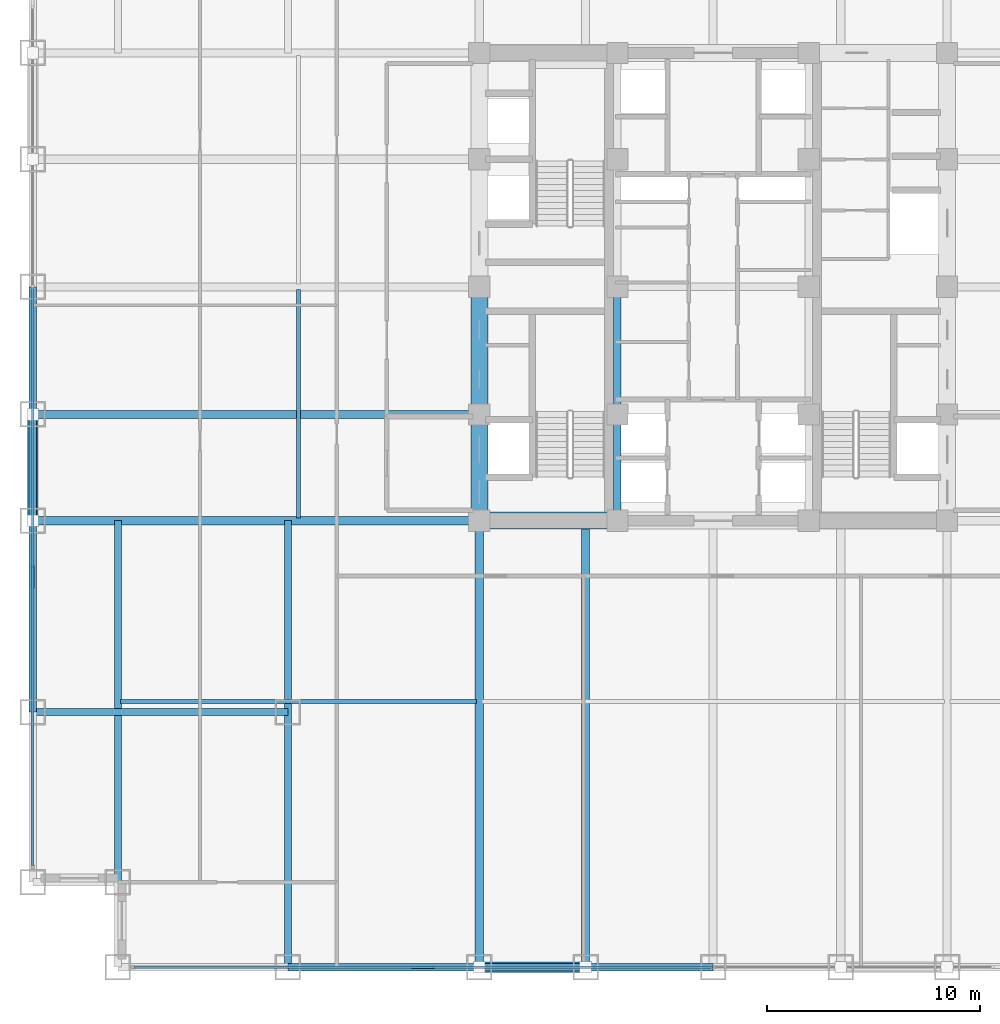
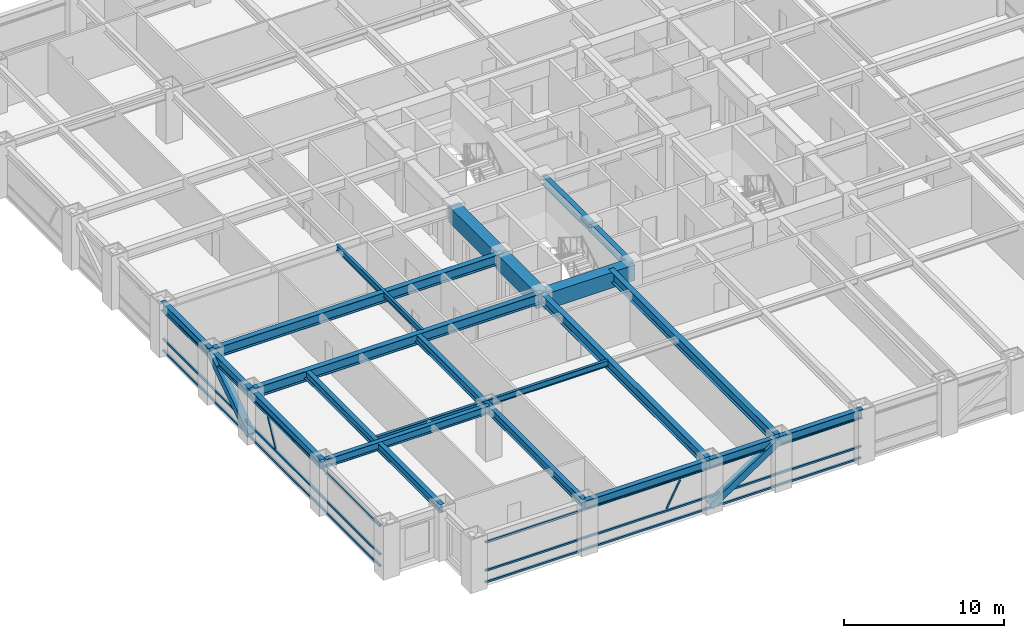
# One storey, part 3 of 27: 20 beams, 10 members, 2 elements without a shape of their own.
"""IFC4 building model written with IfcOpenShell, lengths in metres."""

from ifc_helpers import new_model, si_unit, direction, frame, origin, origin_2d, place, context, subcontext, project, spatial, rectangle, hollow_rectangle, i_section, extrude, source, transform, mapped, material, material_profile, profile_set, type_object, element, aggregate, save


model = new_model("IFC4")

# Units and contexts
model_context = context("Model", 3, precision=1e-05, world=origin(), true_north=direction((0.0, 1.0)))
body_context = subcontext(model_context, "Body", "Model", "MODEL_VIEW")
ifc_project = project(units=[si_unit("LENGTHUNIT", "METRE"), si_unit("AREAUNIT", "SQUARE_METRE"), si_unit("VOLUMEUNIT", "CUBIC_METRE"), si_unit("PLANEANGLEUNIT", "RADIAN"), si_unit("MASSUNIT", "GRAM", prefix="KILO")], contexts=[model_context])

# Site, building, storey
site_placement = place(None, origin())
site = spatial("IfcSite", under=ifc_project, at=site_placement, CompositionType="ELEMENT")
building_placement = place(site_placement, origin())
building = spatial("IfcBuilding", under=site, at=building_placement, Name="Khorayat Bourse Tower", CompositionType="ELEMENT")
storey_placement = place(building_placement, frame((0.0, 0.0, 111.89990234375)))
storey = spatial("IfcBuildingStorey", under=building, at=storey_placement, Name="L25", CompositionType="ELEMENT", Elevation=111.89990234375)

# Beams
ifc_material_1 = material(Name="Concrete C72/90", Category="concrete")
ifc_material_profile_1 = material_profile(ifc_material_1, rectangle(XDim=0.800048828125, YDim=1.199951171875, at=origin_2d()), Name="RC 800x1200")
ifc_profile_set_1 = profile_set([ifc_material_profile_1], Name="Concrete C72/90")
beam_type_1 = type_object("IfcBeamType", Name="BM-COUP-1200", PredefinedType="BEAM", material=ifc_profile_set_1)
shared_shape_1 = source(origin(), body_context, "Body", "SweptSolid", [
    extrude(rectangle(XDim=0.800048828125, YDim=1.199951171875, at=origin_2d()), origin(), (0.0, 0.0, 1.0), 5.0),
])
beam_1_placement = place(storey_placement, frame((-11.0, -11.0, 3.239990234375), z_axis=(0.0, 1.0, 0.0), x_axis=(-1.0, 0.0, 0.0)))
element("IfcBeam", 1, at=beam_1_placement, inside=storey, type_object=beam_type_1, Name="L25 BM-COUP-1200 BM-L25-CRX-01", PredefinedType="BEAM", context=body_context, shape_type="MappedRepresentation", body=[
    mapped(shared_shape_1, transform((0.0, 0.0, 0.0), scale=1.0)),
])
shared_shape_2 = source(origin(), body_context, "Body", "SweptSolid", [
    extrude(rectangle(XDim=0.800048828125, YDim=1.199951171875, at=origin_2d()), origin(), (0.0, 0.0, 1.0), 6.0),
])
beam_2_placement = place(storey_placement, frame((-11.0, -6.0, 3.239990234375), z_axis=(0.0, 1.0, 0.0), x_axis=(-1.0, 0.0, 0.0)))
element("IfcBeam", 2, at=beam_2_placement, inside=storey, type_object=beam_type_1, Name="L25 BM-COUP-1200 BM-L25-CRX-02", PredefinedType="BEAM", context=body_context, shape_type="MappedRepresentation", body=[
    mapped(shared_shape_2, transform((0.0, 0.0, 0.0), scale=1.0)),
])
ifc_material_2 = material(Name="Steel ASTM A992 Grade 50", Category="steel")
ifc_material_profile_2 = material_profile(ifc_material_2, i_section(OverallWidth=0.35498046875, OverallDepth=0.695068359375, WebThickness=0.015380859375, FlangeThickness=0.02490234375, FilletRadius=0.01806640625, at=origin_2d()), Name="W690X217")
ifc_profile_set_2 = profile_set([ifc_material_profile_2], Name="Steel ASTM A992 Grade 50")
beam_type_2 = type_object("IfcBeamType", Name="BM-GIRD-690", PredefinedType="BEAM", material=ifc_profile_set_2)
shared_shape_3 = source(origin(), body_context, "Body", "SweptSolid", [
    extrude(i_section(OverallWidth=0.35498046875, OverallDepth=0.695068359375, WebThickness=0.015380859375, FlangeThickness=0.02490234375, FilletRadius=0.01806640625, at=origin_2d()), origin(), (0.0, 0.0, 1.0), 5.0),
])
beam_3_placement = place(storey_placement, frame((-4.5, -11.0, 3.49267578125), z_axis=(0.0, 1.0, 0.0), x_axis=(-1.0, 0.0, 0.0)))
element("IfcBeam", 3, at=beam_3_placement, inside=storey, type_object=beam_type_2, Name="L25 BM-GIRD-690 BM-L25-CRX-05", PredefinedType="BEAM", context=body_context, shape_type="MappedRepresentation", body=[
    mapped(shared_shape_3, transform((0.0, 0.0, 0.0), scale=1.0)),
])
shared_shape_4 = source(origin(), body_context, "Body", "SweptSolid", [
    extrude(i_section(OverallWidth=0.35498046875, OverallDepth=0.695068359375, WebThickness=0.015380859375, FlangeThickness=0.02490234375, FilletRadius=0.01806640625, at=origin_2d()), origin(), (0.0, 0.0, 1.0), 6.0),
])
beam_4_placement = place(storey_placement, frame((-4.5, -6.0, 3.49267578125), z_axis=(0.0, 1.0, 0.0), x_axis=(-1.0, 0.0, 0.0)))
element("IfcBeam", 4, at=beam_4_placement, inside=storey, type_object=beam_type_2, Name="L25 BM-GIRD-690 BM-L25-CRX-06", PredefinedType="BEAM", context=body_context, shape_type="MappedRepresentation", body=[
    mapped(shared_shape_4, transform((0.0, 0.0, 0.0), scale=1.0)),
])
shared_shape_5 = source(origin(), body_context, "Body", "SweptSolid", [
    extrude(rectangle(XDim=0.800048828125, YDim=1.199951171875, at=origin_2d()), origin(), (0.0, 0.0, 1.0), 6.5),
])
beam_5_placement = place(storey_placement, frame((-11.0, -11.0, 3.239990234375), z_axis=(1.0, 0.0, 0.0), x_axis=(0.0, 1.0, 0.0)))
element("IfcBeam", 5, at=beam_5_placement, inside=storey, type_object=beam_type_1, Name="L25 BM-COUP-1200 BM-L25-CRY-17", PredefinedType="BEAM", context=body_context, shape_type="MappedRepresentation", body=[
    mapped(shared_shape_5, transform((0.0, 0.0, 0.0), scale=1.0)),
])
ifc_material_profile_3 = material_profile(ifc_material_2, i_section(OverallWidth=0.35498046875, OverallDepth=0.695068359375, WebThickness=0.015380859375, FlangeThickness=0.02490234375, FilletRadius=0.01806640625, at=origin_2d()), Name="W690X217")
ifc_profile_set_3 = profile_set([ifc_material_profile_3], Name="Steel ASTM A992 Grade 50")
beam_type_3 = type_object("IfcBeamType", Name="BM-SPAN-690", PredefinedType="SPANDREL", material=ifc_profile_set_3)
shared_shape_6 = source(origin(), body_context, "Body", "SweptSolid", [
    extrude(i_section(OverallWidth=0.35498046875, OverallDepth=0.695068359375, WebThickness=0.015380859375, FlangeThickness=0.02490234375, FilletRadius=0.01806640625, at=origin_2d()), origin(), (0.0, 0.0, 1.0), 9.0),
])
for number, where, z_axis, x_axis, name in (
    (6, (-20.0, -32.0, 3.49267578125), (1.0, 0.0, 0.0), (0.0, 1.0, 0.0), "L25 BM-SPAN-690 BM-L25-SPN-025"),
    (7, (-32.0, -20.0, 3.49267578125), (0.0, 1.0, 0.0), (-1.0, 0.0, 0.0), "L25 BM-SPAN-690 BM-L25-SPN-060"),
):
    element("IfcBeam", number, at=place(storey_placement, frame(where, z_axis=z_axis, x_axis=x_axis)), inside=storey, type_object=beam_type_3, Name=name, PredefinedType="SPANDREL", context=body_context, shape_type="MappedRepresentation", body=[
        mapped(shared_shape_6, transform((0.0, 0.0, 0.0), scale=1.0)),
    ])
shared_shape_7 = source(origin(), body_context, "Body", "SweptSolid", [
    extrude(i_section(OverallWidth=0.35498046875, OverallDepth=0.695068359375, WebThickness=0.015380859375, FlangeThickness=0.02490234375, FilletRadius=0.01806640625, at=origin_2d()), origin(), (0.0, 0.0, 1.0), 5.0),
])
for number, where, z_axis, x_axis, name in (
    (8, (-11.0, -32.0, 3.49267578125), (1.0, 0.0, 0.0), (0.0, 1.0, 0.0), "L25 BM-SPAN-690 BM-L25-SPN-026"),
    (9, (-32.0, -11.0, 3.49267578125), (0.0, 1.0, 0.0), (-1.0, 0.0, 0.0), "L25 BM-SPAN-690 BM-L25-SPN-059"),
):
    element("IfcBeam", number, at=place(storey_placement, frame(where, z_axis=z_axis, x_axis=x_axis)), inside=storey, type_object=beam_type_3, Name=name, PredefinedType="SPANDREL", context=body_context, shape_type="MappedRepresentation", body=[
        mapped(shared_shape_7, transform((0.0, 0.0, 0.0), scale=1.0)),
    ])
shared_shape_8 = source(origin(), body_context, "Body", "SweptSolid", [
    extrude(i_section(OverallWidth=0.35498046875, OverallDepth=0.695068359375, WebThickness=0.015380859375, FlangeThickness=0.02490234375, FilletRadius=0.01806640625, at=origin_2d()), origin(), (0.0, 0.0, 1.0), 6.0),
])
for number, where, z_axis, x_axis, name in (
    (10, (-6.0, -32.0, 3.49267578125), (1.0, 0.0, 0.0), (0.0, 1.0, 0.0), "L25 BM-SPAN-690 BM-L25-SPN-027"),
    (11, (-32.0, -6.0, 3.49267578125), (0.0, 1.0, 0.0), (-1.0, 0.0, 0.0), "L25 BM-SPAN-690 BM-L25-SPN-058"),
):
    element("IfcBeam", number, at=place(storey_placement, frame(where, z_axis=z_axis, x_axis=x_axis)), inside=storey, type_object=beam_type_3, Name=name, PredefinedType="SPANDREL", context=body_context, shape_type="MappedRepresentation", body=[
        mapped(shared_shape_8, transform((0.0, 0.0, 0.0), scale=1.0)),
    ])
ifc_material_profile_4 = material_profile(ifc_material_2, i_section(OverallWidth=0.324951171875, OverallDepth=0.615966796875, WebThickness=0.013916015625, FlangeThickness=0.021484375, FilletRadius=0.01611328125, at=origin_2d()), Name="W610X174")
ifc_profile_set_4 = profile_set([ifc_material_profile_4], Name="Steel ASTM A992 Grade 50")
beam_type_4 = type_object("IfcBeamType", Name="BM-GIRD-610", PredefinedType="BEAM", material=ifc_profile_set_4)
shared_shape_9 = source(origin(), body_context, "Body", "SweptSolid", [
    extrude(i_section(OverallWidth=0.324951171875, OverallDepth=0.615966796875, WebThickness=0.013916015625, FlangeThickness=0.021484375, FilletRadius=0.01611328125, at=origin_2d()), origin(), (0.0, 0.0, 1.0), 21.0),
])
beam_6_placement = place(storey_placement, frame((-20.0, -32.0, 3.531982421875), z_axis=(0.0, 1.0, 0.0), x_axis=(-1.0, 0.0, 0.0)))
element("IfcBeam", 12, at=beam_6_placement, inside=storey, type_object=beam_type_4, Name="L25 BM-GIRD-610 BM-L25-CNRY-084", PredefinedType="BEAM", context=body_context, shape_type="MappedRepresentation", body=[
    mapped(shared_shape_9, transform((0.0, 0.0, 0.0), scale=1.0)),
])
shared_shape_10 = source(origin(), body_context, "Body", "SweptSolid", [
    extrude(i_section(OverallWidth=0.324951171875, OverallDepth=0.615966796875, WebThickness=0.013916015625, FlangeThickness=0.021484375, FilletRadius=0.01611328125, at=origin_2d()), origin(), (0.0, 0.0, 1.0), 12.0),
])
beam_7_placement = place(storey_placement, frame((-32.0, -20.0, 3.531982421875), z_axis=(1.0, 0.0, 0.0), x_axis=(0.0, 1.0, 0.0)))
element("IfcBeam", 13, at=beam_7_placement, inside=storey, type_object=beam_type_4, Name="L25 BM-GIRD-610 BM-L25-CNRX-093", PredefinedType="BEAM", context=body_context, shape_type="MappedRepresentation", body=[
    mapped(shared_shape_10, transform((0.0, 0.0, 0.0), scale=1.0)),
])
ifc_material_profile_5 = material_profile(ifc_material_2, i_section(OverallWidth=0.194091796875, OverallDepth=0.468994140625, WebThickness=0.0126953125, FlangeThickness=0.0205078125, FilletRadius=0.012939453125, at=origin_2d()), Name="W460X106")
ifc_profile_set_5 = profile_set([ifc_material_profile_5], Name="Steel ASTM A992 Grade 50")
beam_type_5 = type_object("IfcBeamType", Name="BM-JOIST-460", PredefinedType="JOIST", material=ifc_profile_set_5)
shared_shape_11 = source(origin(), body_context, "Body", "SweptSolid", [
    extrude(i_section(OverallWidth=0.194091796875, OverallDepth=0.468994140625, WebThickness=0.0126953125, FlangeThickness=0.0205078125, FilletRadius=0.012939453125, at=origin_2d()), origin(), (0.0, 0.0, 1.0), 10.740234375),
])
beam_8_placement = place(storey_placement, frame((-19.5, -10.8701171875, 3.605712890625), z_axis=(0.0, 1.0, 0.0), x_axis=(-1.0, 0.0, 0.0)))
element("IfcBeam", 14, at=beam_8_placement, inside=storey, type_object=beam_type_5, Name="L25 BM-JOIST-460 BM-L25-JSTY-102", PredefinedType="JOIST", context=body_context, shape_type="MappedRepresentation", body=[
    mapped(shared_shape_11, transform((0.0, 0.0, 0.0), scale=1.0)),
])
ifc_material_profile_6 = material_profile(ifc_material_2, i_section(OverallWidth=0.381103515625, OverallDepth=0.77294921875, WebThickness=0.0166015625, FlangeThickness=0.027587890625, FilletRadius=0.01806640625, at=origin_2d()), Name="W760X257")
ifc_profile_set_6 = profile_set([ifc_material_profile_6], Name="Steel ASTM A992 Grade 50")
beam_type_6 = type_object("IfcBeamType", Name="BM-GIRD-760", PredefinedType="BEAM", material=ifc_profile_set_6)
shared_shape_12 = source(origin(), body_context, "Body", "SweptSolid", [
    extrude(i_section(OverallWidth=0.381103515625, OverallDepth=0.77294921875, WebThickness=0.0166015625, FlangeThickness=0.027587890625, FilletRadius=0.01806640625, at=origin_2d()), origin(), (0.0, 0.0, 1.0), 21.0),
])
for number, where, z_axis, x_axis, name in (
    (15, (-11.0, -32.0, 3.45361328125), (0.0, 1.0, 0.0), (-1.0, 0.0, 0.0), "L25 BM-GIRD-760 BM-L25-RADY-065"),
    (16, (-6.0, -32.0, 3.45361328125), (0.0, 1.0, 0.0), (-1.0, 0.0, 0.0), "L25 BM-GIRD-760 BM-L25-RADY-067"),
    (17, (-32.0, -11.0, 3.45361328125), (1.0, 0.0, 0.0), (0.0, 1.0, 0.0), "L25 BM-GIRD-760 BM-L25-RADX-075"),
    (18, (-32.0, -6.0, 3.45361328125), (1.0, 0.0, 0.0), (0.0, 1.0, 0.0), "L25 BM-GIRD-760 BM-L25-RADX-077"),
):
    element("IfcBeam", number, at=place(storey_placement, frame(where, z_axis=z_axis, x_axis=x_axis)), inside=storey, type_object=beam_type_6, Name=name, PredefinedType="BEAM", context=body_context, shape_type="MappedRepresentation", body=[
        mapped(shared_shape_12, transform((0.0, 0.0, 0.0), scale=1.0)),
    ])
shared_shape_13 = source(origin(), body_context, "Body", "SweptSolid", [
    extrude(i_section(OverallWidth=0.324951171875, OverallDepth=0.615966796875, WebThickness=0.013916015625, FlangeThickness=0.021484375, FilletRadius=0.01611328125, at=origin_2d()), origin(), (0.0, 0.0, 1.0), 17.0),
])
beam_9_placement = place(storey_placement, frame((-28.0, -28.0, 3.531982421875), z_axis=(0.0, 1.0, 0.0), x_axis=(-1.0, 0.0, 0.0)))
element("IfcBeam", 19, at=beam_9_placement, inside=storey, type_object=beam_type_4, Name="L25 BM-GIRD-610 BM-L25-CNRY-088", PredefinedType="BEAM", context=body_context, shape_type="MappedRepresentation", body=[
    mapped(shared_shape_13, transform((0.0, 0.0, 0.0), scale=1.0)),
])
shared_shape_14 = source(origin(), body_context, "Body", "SweptSolid", [
    extrude(i_section(OverallWidth=0.194091796875, OverallDepth=0.468994140625, WebThickness=0.0126953125, FlangeThickness=0.0205078125, FilletRadius=0.012939453125, at=origin_2d()), origin(), (0.0, 0.0, 1.0), 16.740234375),
])
beam_10_placement = place(storey_placement, frame((-27.8701171875, -19.5, 3.605712890625), z_axis=(1.0, 0.0, 0.0), x_axis=(0.0, 1.0, 0.0)))
element("IfcBeam", 20, at=beam_10_placement, inside=storey, type_object=beam_type_5, Name="L25 BM-JOIST-460 BM-L25-JSTX-096", PredefinedType="JOIST", context=body_context, shape_type="MappedRepresentation", body=[
    mapped(shared_shape_14, transform((0.0, 0.0, 0.0), scale=1.0)),
])

# Members
ifc_material_3 = material(Name="Steel EN 10025-4 S460M", Category="steel")
ifc_material_profile_7 = material_profile(ifc_material_3, hollow_rectangle(XDim=0.5, YDim=0.5, WallThickness=0.028076171875, at=origin_2d()), Name="HSS 500x500x28")
ifc_profile_set_7 = profile_set([ifc_material_profile_7], Name="Steel EN 10025-4 S460M")
member_type_1 = type_object("IfcMemberType", Name="MBR-TUBE-500", PredefinedType="BRACE", material=ifc_profile_set_7)
shared_shape_15 = source(origin(), body_context, "Body", "SweptSolid", [
    extrude(hollow_rectangle(XDim=0.5, YDim=0.5, WallThickness=0.028076171875, at=origin_2d()), origin(), (0.0, 0.0, 1.0), 6.012939453125),
])
for number, where, z_axis, x_axis, name in (
    (21, (-11.0, -32.0, 0.25), (0.831531473026, 0.0, 0.555477640745), (0.0, 1.0, 0.0), "L25 Perimeter Tube Brace 01"),
    (22, (-32.0, -11.0, 0.25), (0.0, 0.831531473026, 0.555477640745), (-1.0, 0.0, 0.0), "L25 Perimeter Tube Brace 05"),
):
    element("IfcMember", number, at=place(storey_placement, frame(where, z_axis=z_axis, x_axis=x_axis)), inside=storey, type_object=member_type_1, Name=name, PredefinedType="BRACE", context=body_context, shape_type="MappedRepresentation", body=[
        mapped(shared_shape_15, transform((0.0, 0.0, 0.0), scale=1.0)),
    ])

# Curtain wall, members
ifc_material_4 = material(Name="Aluminium EN AW-6063 T6", Category="aluminium")
curtain_wall_type = type_object("IfcCurtainWallType", Name="CW-SYS-02", PredefinedType="NOTDEFINED", material=ifc_material_4)
curtain_wall_1_placement = place(storey_placement, origin())
curtain_wall_1 = element("IfcCurtainWall", 23, at=curtain_wall_1_placement, inside=storey, type_object=curtain_wall_type, Name="L25 Curtain Wall CW-L25-S1", PredefinedType="NOTDEFINED")
ifc_material_profile_8 = material_profile(ifc_material_4, hollow_rectangle(XDim=0.139892578125, YDim=0.139892578125, WallThickness=0.006103515625, at=origin_2d()), Name="ALU 140x140x6")
ifc_profile_set_8 = profile_set([ifc_material_profile_8], Name="Aluminium EN AW-6063 T6")
member_type_2 = type_object("IfcMemberType", Name="CWT-HORZ-140", PredefinedType="USERDEFINED", material=ifc_profile_set_8)
shared_shape_16 = source(origin(), body_context, "Body", "SweptSolid", [
    extrude(hollow_rectangle(XDim=0.139892578125, YDim=0.139892578125, WallThickness=0.006103515625, at=origin_2d()), origin(), (0.0, 0.0, 1.0), 27.139892578125),
])
member_1_placement = place(storey_placement, frame((-27.2099609375, -32.0, 0.070068359375), z_axis=(1.0, 0.0, 0.0), x_axis=(0.0, 1.0, 0.0)))
member_1 = element("IfcMember", 24, at=member_1_placement, type_object=member_type_2, Name="CW-L25-S1 Horizontal Transom 1-1", ObjectType="TRANSOM", PredefinedType="USERDEFINED", context=body_context, shape_type="MappedRepresentation", body=[
    mapped(shared_shape_16, transform((0.0, 0.0, 0.0), scale=1.0)),
])
member_2_placement = place(storey_placement, frame((-27.2099609375, -32.0, 0.9501953125), z_axis=(1.0, 0.0, 0.0), x_axis=(0.0, 1.0, 0.0)))
member_2 = element("IfcMember", 25, at=member_2_placement, type_object=member_type_2, Name="CW-L25-S1 Horizontal Transom 1-2", ObjectType="TRANSOM", PredefinedType="USERDEFINED", context=body_context, shape_type="MappedRepresentation", body=[
    mapped(shared_shape_16, transform((0.0, 0.0, 0.0), scale=1.0)),
])
member_3_placement = place(storey_placement, frame((-27.2099609375, -32.0, 3.1201171875), z_axis=(1.0, 0.0, 0.0), x_axis=(0.0, 1.0, 0.0)))
member_3 = element("IfcMember", 26, at=member_3_placement, type_object=member_type_2, Name="CW-L25-S1 Horizontal Transom 1-3", ObjectType="TRANSOM", PredefinedType="USERDEFINED", context=body_context, shape_type="MappedRepresentation", body=[
    mapped(shared_shape_16, transform((0.0, 0.0, 0.0), scale=1.0)),
])

curtain_wall_2_placement = place(storey_placement, origin())
curtain_wall_2 = element("IfcCurtainWall", 27, at=curtain_wall_2_placement, inside=storey, type_object=curtain_wall_type, Name="L25 Curtain Wall CW-L25-W1", PredefinedType="NOTDEFINED")
member_4_placement = place(storey_placement, frame((-32.0, -27.2099609375, 0.070068359375), z_axis=(0.0, 1.0, 0.0), x_axis=(-1.0, 0.0, 0.0)))
member_4 = element("IfcMember", 28, at=member_4_placement, type_object=member_type_2, Name="CW-L25-W1 Horizontal Transom 1-1", ObjectType="TRANSOM", PredefinedType="USERDEFINED", context=body_context, shape_type="MappedRepresentation", body=[
    mapped(shared_shape_16, transform((0.0, 0.0, 0.0), scale=1.0)),
])
member_5_placement = place(storey_placement, frame((-32.0, -27.2099609375, 0.9501953125), z_axis=(0.0, 1.0, 0.0), x_axis=(-1.0, 0.0, 0.0)))
member_5 = element("IfcMember", 29, at=member_5_placement, type_object=member_type_2, Name="CW-L25-W1 Horizontal Transom 1-2", ObjectType="TRANSOM", PredefinedType="USERDEFINED", context=body_context, shape_type="MappedRepresentation", body=[
    mapped(shared_shape_16, transform((0.0, 0.0, 0.0), scale=1.0)),
])
member_6_placement = place(storey_placement, frame((-32.0, -27.2099609375, 3.1201171875), z_axis=(0.0, 1.0, 0.0), x_axis=(-1.0, 0.0, 0.0)))
member_6 = element("IfcMember", 30, at=member_6_placement, type_object=member_type_2, Name="CW-L25-W1 Horizontal Transom 1-3", ObjectType="TRANSOM", PredefinedType="USERDEFINED", context=body_context, shape_type="MappedRepresentation", body=[
    mapped(shared_shape_16, transform((0.0, 0.0, 0.0), scale=1.0)),
])

# Member
ifc_material_profile_9 = material_profile(ifc_material_4, hollow_rectangle(XDim=0.1201171875, YDim=0.1201171875, WallThickness=0.0048828125, at=origin_2d()), Name="ALU 120x120x5")
ifc_profile_set_9 = profile_set([ifc_material_profile_9], Name="Aluminium EN AW-6063 T6")
member_type_3 = type_object("IfcMemberType", Name="CWM-DIAG-120", PredefinedType="MULLION", material=ifc_profile_set_9)
shared_shape_17 = source(origin(), body_context, "Body", "SweptSolid", [
    extrude(hollow_rectangle(XDim=0.1201171875, YDim=0.1201171875, WallThickness=0.0048828125, at=origin_2d()), origin(), (0.0, 0.0, 1.0), 2.11328125),
])
member_7_placement = place(storey_placement, frame((-14.132080078125, -32.0, 1.10009765625), z_axis=(0.465694055905, 0.0, 0.884945787207), x_axis=(0.0, 1.0, 0.0)))
member_7 = element("IfcMember", 31, at=member_7_placement, type_object=member_type_3, Name="CW-L25-S1 Faceted Diagonal Mullion 1", PredefinedType="MULLION", context=body_context, shape_type="MappedRepresentation", body=[
    mapped(shared_shape_17, transform((0.0, 0.0, 0.0), scale=1.0)),
])

aggregate(curtain_wall_1, [member_1, member_2, member_3, member_7])

member_8_placement = place(storey_placement, frame((-32.0, -14.132080078125, 1.10009765625), z_axis=(0.0, 0.465694055905, 0.884945787207), x_axis=(-1.0, 0.0, 0.0)))
member_8 = element("IfcMember", 32, at=member_8_placement, type_object=member_type_3, Name="CW-L25-W1 Faceted Diagonal Mullion 1", PredefinedType="MULLION", context=body_context, shape_type="MappedRepresentation", body=[
    mapped(shared_shape_17, transform((0.0, 0.0, 0.0), scale=1.0)),
])

aggregate(curtain_wall_2, [member_4, member_5, member_6, member_8])

save(model, "model.ifc")
